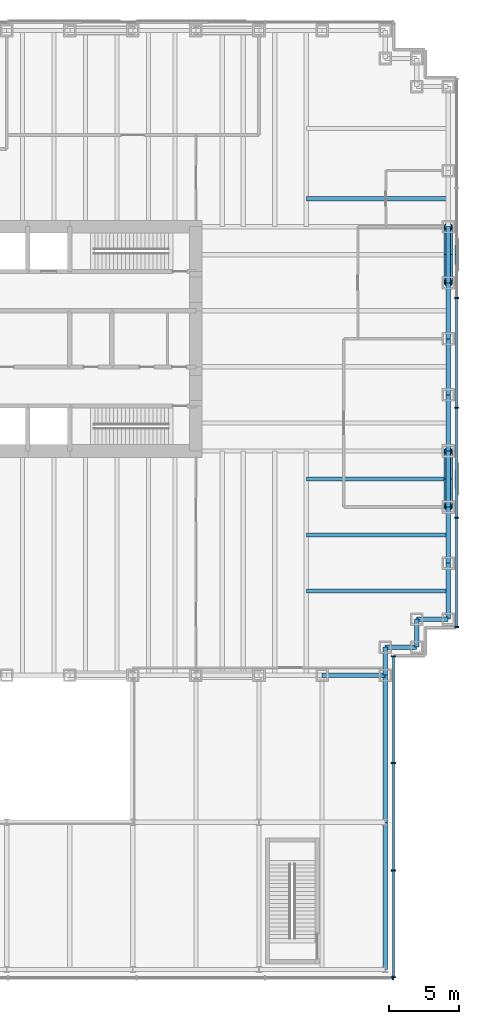
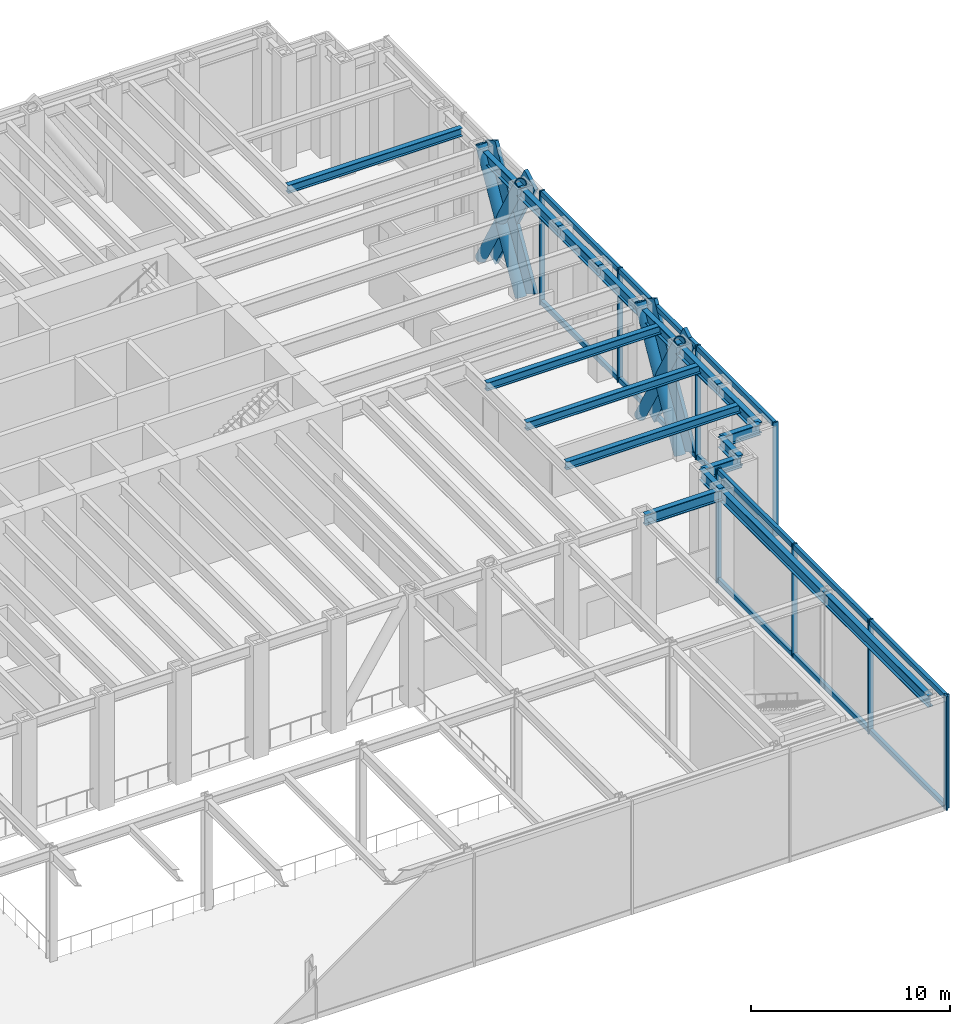
# One storey, part 7 of 17: 29 members, 18 beams, 3 elements without a shape of their own.
"""IFC4 building model written with IfcOpenShell, lengths in metres."""

import ifcopenshell
import ifcopenshell.guid

model = None  # the IFC model being written
_history = None  # IfcOwnerHistory: only IFC2X3 demands one
_inside = {}  # id of a spatial element -> (the spatial element, [elements in it])
_under = {}  # id of a project, library or spatial element -> (it, [spatial elements below it])
_declared = {}  # id of a project -> (the project, [libraries it declares])
_typed = {}  # id of a type object -> (the type object, [elements of that type])
_made_of = {}  # id of a material, layer set ... -> (it, [elements and type objects made of it])


def new_model(schema):
    """Start an empty IFC model of exactly this schema.

    Asked for "IFC4X3", IfcOpenShell would pick the latest addendum, in which some entities
    have other attributes; the version numbers below select the first issue.
    IFC2X3 requires an IfcOwnerHistory on every rooted entity: one is made here for all.
    """
    global model, _history
    if schema == "IFC4X3":
        model = ifcopenshell.file(schema_version=(4, 3, 0, 0))
    else:
        model = ifcopenshell.file(schema=schema)
    _inside.clear()
    _under.clear()
    _declared.clear()
    _typed.clear()
    _made_of.clear()
    _history = None
    if model.schema == "IFC2X3":
        org = make("IfcOrganization", Name="unknown")
        user = make(
            "IfcPersonAndOrganization",
            ThePerson=make("IfcPerson", FamilyName="unknown"),
            TheOrganization=org,
        )
        app = make(
            "IfcApplication",
            ApplicationDeveloper=org,
            Version="unknown",
            ApplicationFullName="unknown",
            ApplicationIdentifier="unknown",
        )
        _history = make(
            "IfcOwnerHistory",
            OwningUser=user,
            OwningApplication=app,
            ChangeAction="ADDED",
            CreationDate=0,
        )
    return model


def make(cls, **values):
    """One entity of the class cls with the attributes given. An attribute that is None is left unset."""
    return model.create_entity(
        cls, **{name: value for name, value in values.items() if value is not None}
    )


def rooted(cls, **values):
    """An entity with a GlobalId (a new one), such as an element, a storey or a relation."""
    return make(cls, GlobalId=ifcopenshell.guid.new(), OwnerHistory=_history, **values)


def si_unit(unit_type, name, prefix=None):
    """IfcSIUnit, for example si_unit("LENGTHUNIT", "METRE", prefix="MILLI")."""
    return make("IfcSIUnit", UnitType=unit_type, Prefix=prefix, Name=name)


def assignment(units):
    """IfcUnitAssignment: the units of a project."""
    return None if units is None else make("IfcUnitAssignment", Units=units)


def point(xyz):
    """IfcCartesianPoint."""
    return None if xyz is None else make("IfcCartesianPoint", Coordinates=xyz)


def direction(xyz):
    """IfcDirection."""
    return None if xyz is None else make("IfcDirection", DirectionRatios=xyz)


def frame(location, z_axis=None, x_axis=None):
    """IfcAxis2Placement3D, a coordinate frame: its origin and axes. An axis left out is left unset."""
    return make(
        "IfcAxis2Placement3D",
        Location=point(location),
        Axis=direction(z_axis),
        RefDirection=direction(x_axis),
    )


def frame_2d(location, x_axis=None):
    """IfcAxis2Placement2D, a coordinate frame in the plane: its origin and x axis."""
    return make(
        "IfcAxis2Placement2D", Location=point(location), RefDirection=direction(x_axis)
    )


def origin():
    """The frame at (0, 0, 0) with its axes left unset."""
    return frame((0.0, 0.0, 0.0))


def origin_2d():
    """The frame at (0, 0) in the plane with its x axis left unset."""
    return frame_2d((0.0, 0.0))


def place(relative_to, where):
    """IfcLocalPlacement: puts the frame where relative to a parent placement (None: the world)."""
    return make(
        "IfcLocalPlacement", PlacementRelTo=relative_to, RelativePlacement=where
    )


def context(
    kind, dimensions, precision=None, world=None, true_north=None, identifier=None
):
    """IfcGeometricRepresentationContext, for example the 3D "Model" context."""
    return make(
        "IfcGeometricRepresentationContext",
        ContextIdentifier=identifier,
        ContextType=kind,
        CoordinateSpaceDimension=dimensions,
        Precision=precision,
        WorldCoordinateSystem=world,
        TrueNorth=true_north,
    )


def subcontext(parent, identifier, kind, view, scale=None):
    """IfcGeometricRepresentationSubContext, for example "Body" below "Model"."""
    return make(
        "IfcGeometricRepresentationSubContext",
        ContextIdentifier=identifier,
        ContextType=kind,
        ParentContext=parent,
        TargetScale=scale,
        TargetView=view,
    )


def project(units=None, contexts=None):
    """IfcProject with its units and contexts."""
    return rooted(
        "IfcProject",
        Name="project",
        RepresentationContexts=contexts,
        UnitsInContext=assignment(units),
    )


def spatial(cls, under=None, at=None, **own):
    """A site, building, storey or space (cls), placed at a placement, below another one or the project."""
    s = rooted(cls, ObjectPlacement=at, **own)
    if under is not None:
        _under.setdefault(under.id(), (under, []))[1].append(s)
    return s


def profile(cls, at=None, kind="AREA", **sizes):
    """A parametric profile (cls). Its sizes go by their IFC names, for example OverallWidth=200.0."""
    return make(cls, ProfileType=kind, Position=at, **sizes)


def rectangle(**sizes):
    """IfcRectangleProfileDef."""
    return profile("IfcRectangleProfileDef", **sizes)


def hollow_circle(**sizes):
    """IfcCircleHollowProfileDef."""
    return profile("IfcCircleHollowProfileDef", **sizes)


def i_section(**sizes):
    """IfcIShapeProfileDef."""
    return profile("IfcIShapeProfileDef", **sizes)


def extrude(swept, where, along, depth):
    """IfcExtrudedAreaSolid: the profile swept, set in the frame where, extruded along a direction by depth."""
    return make(
        "IfcExtrudedAreaSolid",
        SweptArea=swept,
        Position=where,
        ExtrudedDirection=direction(along),
        Depth=depth,
    )


def shape(context_of_items, identifier, shape_type, items):
    """IfcShapeRepresentation: the items that make up one representation, for example the "Body"."""
    return make(
        "IfcShapeRepresentation",
        ContextOfItems=context_of_items,
        RepresentationIdentifier=identifier,
        RepresentationType=shape_type,
        Items=items,
    )


def material(Name=None, Category=None):
    """IfcMaterial."""
    return make("IfcMaterial", Name=Name, Category=Category)


def material_profile(
    of_material, cross_section, Name=None, Category=None, Priority=None
):
    """IfcMaterialProfile: a cross section and its material."""
    return make(
        "IfcMaterialProfile",
        Name=Name,
        Material=of_material,
        Profile=cross_section,
        Priority=Priority,
        Category=Category,
    )


def profile_set(profiles, Name=None, composite=None):
    """IfcMaterialProfileSet."""
    return make(
        "IfcMaterialProfileSet",
        Name=Name,
        MaterialProfiles=profiles,
        CompositeProfile=composite,
    )


def made_of(thing, what):
    """Note that an element or type object is made of a material, layer set ...; save() writes the relation."""
    if what is not None:
        _made_of.setdefault(what.id(), (what, []))[1].append(thing)
    return thing


def type_object(cls, material=None, **own):
    """A type object (cls), such as IfcWallType, which elements share."""
    return made_of(rooted(cls, **own), material)


def element(
    cls,
    number,
    at=None,
    inside=None,
    cuts=None,
    type_object=None,
    material=None,
    context=None,
    identifier="Body",
    shape_type=None,
    held_by="IfcProductDefinitionShape",
    body=None,
    shapes=None,
    **own,
):
    """One element of the class cls, such as IfcWall. Its Tag is "e" and its number.

    at: its placement. inside: the storey or other place that contains it. cuts: it is an
    opening in that element (IfcRelVoidsElement). A single representation is given by context,
    identifier, shape_type and body (its items); several are given by shapes. held_by: the class
    of the entity that holds the representations. save() writes the other relations.
    """
    e = rooted(cls, Tag="e%d" % number, ObjectPlacement=at, **own)
    if body is not None:
        shapes = [shape(context, identifier, shape_type, body)]
    if shapes is not None:
        e.Representation = make(held_by, Representations=shapes)
    if inside is not None:
        _inside.setdefault(inside.id(), (inside, []))[1].append(e)
    if cuts is not None:
        rooted(
            "IfcRelVoidsElement", RelatingBuildingElement=cuts, RelatedOpeningElement=e
        )
    if type_object is not None:
        _typed.setdefault(type_object.id(), (type_object, []))[1].append(e)
    return made_of(e, material)


def aggregate(whole, parts):
    """IfcRelAggregates: a whole, such as a stair, and the parts it consists of."""
    return rooted("IfcRelAggregates", RelatingObject=whole, RelatedObjects=parts)


def save(model, path):
    """Write the relations noted so far, then the file.

    IfcRelAggregates (storeys below a building ...), IfcRelContainedInSpatialStructure (elements
    in a storey), IfcRelDefinesByType, IfcRelAssociatesMaterial and IfcRelDeclares: one each for
    every whole, place, type object, material and project.
    """
    for whole, parts in _under.values():
        aggregate(whole, parts)
    for where, things in _inside.values():
        rooted(
            "IfcRelContainedInSpatialStructure",
            RelatedElements=things,
            RelatingStructure=where,
        )
    for kind, things in _typed.values():
        rooted("IfcRelDefinesByType", RelatedObjects=things, RelatingType=kind)
    for what, things in _made_of.values():
        rooted("IfcRelAssociatesMaterial", RelatedObjects=things, RelatingMaterial=what)
    for by, libraries in _declared.values():
        rooted("IfcRelDeclares", RelatingContext=by, RelatedDefinitions=libraries)
    model.write(path)


model = new_model("IFC4")

# Units and contexts
model_context = context("Model", 3, precision=1e-05, world=origin(), true_north=direction((0.0, 1.0)))
body_context = subcontext(model_context, "Body", "Model", "MODEL_VIEW")
ifc_project = project(units=[si_unit("LENGTHUNIT", "METRE"), si_unit("AREAUNIT", "SQUARE_METRE"), si_unit("VOLUMEUNIT", "CUBIC_METRE"), si_unit("PLANEANGLEUNIT", "RADIAN"), si_unit("MASSUNIT", "GRAM", prefix="KILO")], contexts=[model_context])

# Site, building, storey
site_placement = place(None, origin())
site = spatial("IfcSite", under=ifc_project, at=site_placement, CompositionType="ELEMENT")
building_placement = place(site_placement, origin())
building = spatial("IfcBuilding", under=site, at=building_placement, Name="Rheinbord Bourse Tower", CompositionType="ELEMENT")
storey_placement = place(building_placement, frame((0.0, 0.0, 6.0)))
storey = spatial("IfcBuildingStorey", under=building, at=storey_placement, Name="L01", CompositionType="ELEMENT", Elevation=6.0)

# Curtain wall, members
ifc_material_1 = material(Name="Dark glass and black aluminium", Category="aluminium")
curtain_wall_type = type_object("IfcCurtainWallType", Name="CW4 DARK GLASS CURTAIN WALL", PredefinedType="USERDEFINED", material=ifc_material_1)
curtain_wall_1_placement = place(storey_placement, origin())
curtain_wall_1 = element("IfcCurtainWall", 1, at=curtain_wall_1_placement, inside=storey, type_object=curtain_wall_type, Name="Curtain wall CW4 E L01", ObjectType="UNITISED CURTAIN WALL", PredefinedType="USERDEFINED")
ifc_material_2 = material(Name="Black anodised aluminium", Category="aluminium")
ifc_material_profile_1 = material_profile(ifc_material_2, rectangle(XDim=0.199951171875, YDim=1.2099609375, at=origin_2d()), Name="CW4 DIAGONAL MULLION 1210x200")
ifc_profile_set_1 = profile_set([ifc_material_profile_1], Name="Black anodised aluminium")
member_type_1 = type_object("IfcMemberType", Name="CW4 BLACK DIAGONAL MULLION", PredefinedType="USERDEFINED", material=ifc_profile_set_1)
member_1_placement = place(storey_placement, frame((72.60009765625, 12.0, 0.0), z_axis=(0.0, 0.496138938357, 0.868243142124), x_axis=(-1.0, 0.0, 0.0)))
member_1 = element("IfcMember", 2, at=member_1_placement, type_object=member_type_1, Name="CW4 diagonal mullion a", ObjectType="DIAGONAL MULLION", PredefinedType="USERDEFINED", context=body_context, shape_type="SweptSolid", body=[
    extrude(rectangle(XDim=0.199951171875, YDim=1.2099609375, at=origin_2d()), origin(), (0.0, 0.0, 1.0), 8.062255859375),
])
member_2_placement = place(storey_placement, frame((72.60009765625, 32.0, 0.0), z_axis=(0.0, -0.496138938357, 0.868243142124), x_axis=(1.0, 0.0, 0.0)))
member_2 = element("IfcMember", 3, at=member_2_placement, type_object=member_type_1, Name="CW4 diagonal mullion b", ObjectType="DIAGONAL MULLION", PredefinedType="USERDEFINED", context=body_context, shape_type="SweptSolid", body=[
    extrude(rectangle(XDim=0.199951171875, YDim=1.2099609375, at=origin_2d()), origin(), (0.0, 0.0, 1.0), 8.062255859375),
])
member_3_placement = place(storey_placement, frame((72.60009765625, 28.0, 0.0), z_axis=(0.0, 0.496138938357, 0.868243142124), x_axis=(-1.0, 0.0, 0.0)))
member_3 = element("IfcMember", 4, at=member_3_placement, type_object=member_type_1, Name="CW4 diagonal mullion c", ObjectType="DIAGONAL MULLION", PredefinedType="USERDEFINED", context=body_context, shape_type="SweptSolid", body=[
    extrude(rectangle(XDim=0.199951171875, YDim=1.2099609375, at=origin_2d()), origin(), (0.0, 0.0, 1.0), 8.062255859375),
])
member_4_placement = place(storey_placement, frame((72.60009765625, 16.0, 0.0), z_axis=(0.0, -0.496138938357, 0.868243142124), x_axis=(1.0, 0.0, 0.0)))
member_4 = element("IfcMember", 5, at=member_4_placement, type_object=member_type_1, Name="CW4 diagonal mullion d", ObjectType="DIAGONAL MULLION", PredefinedType="USERDEFINED", context=body_context, shape_type="SweptSolid", body=[
    extrude(rectangle(XDim=0.199951171875, YDim=1.2099609375, at=origin_2d()), origin(), (0.0, 0.0, 1.0), 8.062255859375),
])

# Curtain wall, member
curtain_wall_2_placement = place(storey_placement, origin())
curtain_wall_2 = element("IfcCurtainWall", 6, at=curtain_wall_2_placement, inside=storey, type_object=curtain_wall_type, Name="Curtain wall CW4 S L01", ObjectType="UNITISED CURTAIN WALL", PredefinedType="USERDEFINED")
ifc_material_3 = material(Name="Black anodised aluminium", Category="aluminium")
ifc_material_profile_2 = material_profile(ifc_material_3, rectangle(XDim=0.300048828125, YDim=0.090087890625, at=origin_2d()), Name="CW4 MULLION 90x300")
ifc_profile_set_2 = profile_set([ifc_material_profile_2], Name="Black anodised aluminium")
member_type_2 = type_object("IfcMemberType", Name="CW4 BLACK MULLION", PredefinedType="MULLION", material=ifc_profile_set_2)
member_5_placement = place(storey_placement, frame((68.054931640625, -21.60009765625, 0.0), z_axis=(0.0, 0.0, 1.0), x_axis=(0.0, 1.0, 0.0)))
member_5 = element("IfcMember", 7, at=member_5_placement, type_object=member_type_2, Name="CW4 mullion 8", PredefinedType="MULLION", context=body_context, shape_type="SweptSolid", body=[
    extrude(rectangle(XDim=0.300048828125, YDim=0.090087890625, at=origin_2d()), origin(), (0.0, 0.0, 1.0), 7.0),
])
aggregate(curtain_wall_2, [member_5])

# Curtain wall, members
curtain_wall_3_placement = place(storey_placement, origin())
curtain_wall_3 = element("IfcCurtainWall", 8, at=curtain_wall_3_placement, inside=storey, type_object=curtain_wall_type, Name="Curtain wall CW4 E L01", ObjectType="UNITISED CURTAIN WALL", PredefinedType="USERDEFINED")
member_6_placement = place(storey_placement, frame((68.10009765625, -21.554931640625, 0.0), z_axis=(0.0, 0.0, 1.0), x_axis=(-1.0, 0.0, 0.0)))
member_6 = element("IfcMember", 9, at=member_6_placement, type_object=member_type_2, Name="CW4 mullion 1", PredefinedType="MULLION", context=body_context, shape_type="SweptSolid", body=[
    extrude(rectangle(XDim=0.300048828125, YDim=0.090087890625, at=origin_2d()), origin(), (0.0, 0.0, 1.0), 7.0),
])
member_7_placement = place(storey_placement, frame((68.10009765625, -13.933349609375, 0.0), z_axis=(0.0, 0.0, 1.0), x_axis=(-1.0, 0.0, 0.0)))
member_7 = element("IfcMember", 10, at=member_7_placement, type_object=member_type_2, Name="CW4 mullion 2", PredefinedType="MULLION", context=body_context, shape_type="SweptSolid", body=[
    extrude(rectangle(XDim=0.300048828125, YDim=0.090087890625, at=origin_2d()), origin(), (0.0, 0.0, 1.0), 7.0),
])
member_8_placement = place(storey_placement, frame((68.10009765625, -6.2666015625, 0.0), z_axis=(0.0, 0.0, 1.0), x_axis=(-1.0, 0.0, 0.0)))
member_8 = element("IfcMember", 11, at=member_8_placement, type_object=member_type_2, Name="CW4 mullion 3", PredefinedType="MULLION", context=body_context, shape_type="SweptSolid", body=[
    extrude(rectangle(XDim=0.300048828125, YDim=0.090087890625, at=origin_2d()), origin(), (0.0, 0.0, 1.0), 7.0),
])
member_9_placement = place(storey_placement, frame((68.10009765625, 1.35498046875, 0.0), z_axis=(0.0, 0.0, 1.0), x_axis=(-1.0, 0.0, 0.0)))
member_9 = element("IfcMember", 12, at=member_9_placement, type_object=member_type_2, Name="CW4 mullion 4", PredefinedType="MULLION", context=body_context, shape_type="SweptSolid", body=[
    extrude(rectangle(XDim=0.300048828125, YDim=0.090087890625, at=origin_2d()), origin(), (0.0, 0.0, 1.0), 7.0),
])

# Member
member_10_placement = place(storey_placement, frame((72.60009765625, 3.445068359375, 0.0), z_axis=(0.0, 0.0, 1.0), x_axis=(-1.0, 0.0, 0.0)))
member_10 = element("IfcMember", 13, at=member_10_placement, type_object=member_type_2, Name="CW4 mullion 1", PredefinedType="MULLION", context=body_context, shape_type="SweptSolid", body=[
    extrude(rectangle(XDim=0.300048828125, YDim=0.090087890625, at=origin_2d()), origin(), (0.0, 0.0, 1.0), 7.0),
])

member_11_placement = place(storey_placement, frame((72.60009765625, 11.239990234375, 0.0), z_axis=(0.0, 0.0, 1.0), x_axis=(-1.0, 0.0, 0.0)))
member_11 = element("IfcMember", 14, at=member_11_placement, type_object=member_type_2, Name="CW4 mullion 2", PredefinedType="MULLION", context=body_context, shape_type="SweptSolid", body=[
    extrude(rectangle(XDim=0.300048828125, YDim=0.090087890625, at=origin_2d()), origin(), (0.0, 0.0, 1.0), 7.0),
])

member_12_placement = place(storey_placement, frame((72.60009765625, 19.080078125, 0.0), z_axis=(0.0, 0.0, 1.0), x_axis=(-1.0, 0.0, 0.0)))
member_12 = element("IfcMember", 15, at=member_12_placement, type_object=member_type_2, Name="CW4 mullion 3", PredefinedType="MULLION", context=body_context, shape_type="SweptSolid", body=[
    extrude(rectangle(XDim=0.300048828125, YDim=0.090087890625, at=origin_2d()), origin(), (0.0, 0.0, 1.0), 7.0),
])

member_13_placement = place(storey_placement, frame((72.60009765625, 26.919921875, 0.0), z_axis=(0.0, 0.0, 1.0), x_axis=(-1.0, 0.0, 0.0)))
member_13 = element("IfcMember", 16, at=member_13_placement, type_object=member_type_2, Name="CW4 mullion 4", PredefinedType="MULLION", context=body_context, shape_type="SweptSolid", body=[
    extrude(rectangle(XDim=0.300048828125, YDim=0.090087890625, at=origin_2d()), origin(), (0.0, 0.0, 1.0), 7.0),
])

ifc_material_4 = material(Name="Black anodised aluminium", Category="aluminium")
ifc_material_profile_3 = material_profile(ifc_material_4, rectangle(XDim=0.199951171875, YDim=0.300048828125, at=origin_2d()), Name="CW4 TRANSOM 300x200")
ifc_profile_set_3 = profile_set([ifc_material_profile_3], Name="Black anodised aluminium")
member_type_3 = type_object("IfcMemberType", Name="CW4 BLACK TRANSOM", PredefinedType="USERDEFINED", material=ifc_profile_set_3)
member_14_placement = place(storey_placement, frame((68.10009765625, -21.510009765625, 0.14990234375), z_axis=(0.0, 1.0, 0.0), x_axis=(-1.0, 0.0, 0.0)))
member_14 = element("IfcMember", 17, at=member_14_placement, type_object=member_type_3, Name="CW4 transom 1.1", ObjectType="TRANSOM", PredefinedType="USERDEFINED", context=body_context, shape_type="SweptSolid", body=[
    extrude(rectangle(XDim=0.199951171875, YDim=0.300048828125, at=origin_2d()), origin(), (0.0, 0.0, 1.0), 7.53173828125),
])

member_15_placement = place(storey_placement, frame((68.10009765625, -21.510009765625, 6.85009765625), z_axis=(0.0, 1.0, 0.0), x_axis=(-1.0, 0.0, 0.0)))
member_15 = element("IfcMember", 18, at=member_15_placement, type_object=member_type_3, Name="CW4 transom 1.2", ObjectType="TRANSOM", PredefinedType="USERDEFINED", context=body_context, shape_type="SweptSolid", body=[
    extrude(rectangle(XDim=0.199951171875, YDim=0.300048828125, at=origin_2d()), origin(), (0.0, 0.0, 1.0), 7.53173828125),
])

member_16_placement = place(storey_placement, frame((68.10009765625, -13.888427734375, 0.14990234375), z_axis=(0.0, 1.0, 0.0), x_axis=(-1.0, 0.0, 0.0)))
member_16 = element("IfcMember", 19, at=member_16_placement, type_object=member_type_3, Name="CW4 transom 2.1", ObjectType="TRANSOM", PredefinedType="USERDEFINED", context=body_context, shape_type="SweptSolid", body=[
    extrude(rectangle(XDim=0.199951171875, YDim=0.300048828125, at=origin_2d()), origin(), (0.0, 0.0, 1.0), 7.57666015625),
])

member_17_placement = place(storey_placement, frame((68.10009765625, -13.888427734375, 6.85009765625), z_axis=(0.0, 1.0, 0.0), x_axis=(-1.0, 0.0, 0.0)))
member_17 = element("IfcMember", 20, at=member_17_placement, type_object=member_type_3, Name="CW4 transom 2.2", ObjectType="TRANSOM", PredefinedType="USERDEFINED", context=body_context, shape_type="SweptSolid", body=[
    extrude(rectangle(XDim=0.199951171875, YDim=0.300048828125, at=origin_2d()), origin(), (0.0, 0.0, 1.0), 7.57666015625),
])

member_18_placement = place(storey_placement, frame((68.10009765625, -6.2216796875, 0.14990234375), z_axis=(0.0, 1.0, 0.0), x_axis=(-1.0, 0.0, 0.0)))
member_18 = element("IfcMember", 21, at=member_18_placement, type_object=member_type_3, Name="CW4 transom 3.1", ObjectType="TRANSOM", PredefinedType="USERDEFINED", context=body_context, shape_type="SweptSolid", body=[
    extrude(rectangle(XDim=0.199951171875, YDim=0.300048828125, at=origin_2d()), origin(), (0.0, 0.0, 1.0), 7.53173828125),
])

member_19_placement = place(storey_placement, frame((68.10009765625, -6.2216796875, 6.85009765625), z_axis=(0.0, 1.0, 0.0), x_axis=(-1.0, 0.0, 0.0)))
member_19 = element("IfcMember", 22, at=member_19_placement, type_object=member_type_3, Name="CW4 transom 3.2", ObjectType="TRANSOM", PredefinedType="USERDEFINED", context=body_context, shape_type="SweptSolid", body=[
    extrude(rectangle(XDim=0.199951171875, YDim=0.300048828125, at=origin_2d()), origin(), (0.0, 0.0, 1.0), 7.53173828125),
])

aggregate(curtain_wall_3, [member_6, member_7, member_8, member_9, member_14, member_15, member_16, member_17, member_18, member_19])

member_20_placement = place(storey_placement, frame((72.60009765625, 3.489990234375, 0.14990234375), z_axis=(0.0, 1.0, 0.0), x_axis=(-1.0, 0.0, 0.0)))
member_20 = element("IfcMember", 23, at=member_20_placement, type_object=member_type_3, Name="CW4 transom 1.1", ObjectType="TRANSOM", PredefinedType="USERDEFINED", context=body_context, shape_type="SweptSolid", body=[
    extrude(rectangle(XDim=0.199951171875, YDim=0.300048828125, at=origin_2d()), origin(), (0.0, 0.0, 1.0), 7.705078125),
])

member_21_placement = place(storey_placement, frame((72.60009765625, 3.489990234375, 6.85009765625), z_axis=(0.0, 1.0, 0.0), x_axis=(-1.0, 0.0, 0.0)))
member_21 = element("IfcMember", 24, at=member_21_placement, type_object=member_type_3, Name="CW4 transom 1.2", ObjectType="TRANSOM", PredefinedType="USERDEFINED", context=body_context, shape_type="SweptSolid", body=[
    extrude(rectangle(XDim=0.199951171875, YDim=0.300048828125, at=origin_2d()), origin(), (0.0, 0.0, 1.0), 7.705078125),
])

member_22_placement = place(storey_placement, frame((72.60009765625, 11.284912109375, 0.14990234375), z_axis=(0.0, 1.0, 0.0), x_axis=(-1.0, 0.0, 0.0)))
member_22 = element("IfcMember", 25, at=member_22_placement, type_object=member_type_3, Name="CW4 transom 2.1", ObjectType="TRANSOM", PredefinedType="USERDEFINED", context=body_context, shape_type="SweptSolid", body=[
    extrude(rectangle(XDim=0.199951171875, YDim=0.300048828125, at=origin_2d()), origin(), (0.0, 0.0, 1.0), 7.75),
])

member_23_placement = place(storey_placement, frame((72.60009765625, 11.284912109375, 6.85009765625), z_axis=(0.0, 1.0, 0.0), x_axis=(-1.0, 0.0, 0.0)))
member_23 = element("IfcMember", 26, at=member_23_placement, type_object=member_type_3, Name="CW4 transom 2.2", ObjectType="TRANSOM", PredefinedType="USERDEFINED", context=body_context, shape_type="SweptSolid", body=[
    extrude(rectangle(XDim=0.199951171875, YDim=0.300048828125, at=origin_2d()), origin(), (0.0, 0.0, 1.0), 7.75),
])

member_24_placement = place(storey_placement, frame((72.60009765625, 19.125, 0.14990234375), z_axis=(0.0, 1.0, 0.0), x_axis=(-1.0, 0.0, 0.0)))
member_24 = element("IfcMember", 27, at=member_24_placement, type_object=member_type_3, Name="CW4 transom 3.1", ObjectType="TRANSOM", PredefinedType="USERDEFINED", context=body_context, shape_type="SweptSolid", body=[
    extrude(rectangle(XDim=0.199951171875, YDim=0.300048828125, at=origin_2d()), origin(), (0.0, 0.0, 1.0), 7.75),
])

member_25_placement = place(storey_placement, frame((72.60009765625, 19.125, 6.85009765625), z_axis=(0.0, 1.0, 0.0), x_axis=(-1.0, 0.0, 0.0)))
member_25 = element("IfcMember", 28, at=member_25_placement, type_object=member_type_3, Name="CW4 transom 3.2", ObjectType="TRANSOM", PredefinedType="USERDEFINED", context=body_context, shape_type="SweptSolid", body=[
    extrude(rectangle(XDim=0.199951171875, YDim=0.300048828125, at=origin_2d()), origin(), (0.0, 0.0, 1.0), 7.75),
])

aggregate(curtain_wall_1, [member_10, member_11, member_12, member_13, member_20, member_21, member_22, member_23, member_24, member_25, member_1, member_2, member_3, member_4])

# Members
ifc_material_5 = material(Name="Steel S460", Category="steel")
ifc_material_profile_4 = material_profile(ifc_material_5, hollow_circle(Radius=0.304931640625, WallThickness=0.050048828125, at=origin_2d()), Name="CHS 610x50")
ifc_profile_set_4 = profile_set([ifc_material_profile_4], Name="Steel S460")
member_type_4 = type_object("IfcMemberType", Name="MEGABRACE CHS 610x50", PredefinedType="BRACE", material=ifc_profile_set_4)
for number, where, z_axis, x_axis, name in (
    (29, (72.0, 12.0, 0.0), (0.0, 0.496138938357, 0.868243142124), (-1.0, 0.0, 0.0), "Megabrace E face line a L01"),
    (30, (72.0, 32.0, 0.0), (0.0, -0.496138938357, 0.868243142124), (1.0, 0.0, 0.0), "Megabrace E face line b L01"),
    (31, (72.0, 28.0, 0.0), (0.0, 0.496138938357, 0.868243142124), (-1.0, 0.0, 0.0), "Megabrace E face line c L01"),
    (32, (72.0, 16.0, 0.0), (0.0, -0.496138938357, 0.868243142124), (1.0, 0.0, 0.0), "Megabrace E face line d L01"),
):
    element("IfcMember", number, at=place(storey_placement, frame(where, z_axis=z_axis, x_axis=x_axis)), inside=storey, type_object=member_type_4, Name=name, PredefinedType="BRACE", context=body_context, shape_type="SweptSolid", body=[
        extrude(hollow_circle(Radius=0.304931640625, WallThickness=0.050048828125, at=origin_2d()), origin(), (0.0, 0.0, 1.0), 8.062255859375),
    ])

# Beams
ifc_material_6 = material(Name="Steel S460", Category="steel")
ifc_material_profile_5 = material_profile(ifc_material_6, i_section(OverallWidth=0.303955078125, OverallDepth=0.716064453125, WebThickness=0.02099609375, FlangeThickness=0.0400390625, at=origin_2d()), Name="HEM 700")
ifc_profile_set_5 = profile_set([ifc_material_profile_5], Name="Steel S460")
beam_type_1 = type_object("IfcBeamType", Name="PODIUM GIRDER HEM 700", PredefinedType="BEAM", material=ifc_profile_set_5)
for number, where, z_axis, x_axis, name in (
    (33, (67.5, -21.0, 6.4619140625), (0.0, 1.0, 0.0), (-1.0, 0.0, 0.0), "Podium girder 67.5 L02"),
    (34, (67.5, -10.5, 6.4619140625), (0.0, 1.0, 0.0), (-1.0, 0.0, 0.0), "Podium girder 67.5 L02"),
):
    element("IfcBeam", number, at=place(storey_placement, frame(where, z_axis=z_axis, x_axis=x_axis)), inside=storey, type_object=beam_type_1, Name=name, PredefinedType="BEAM", context=body_context, shape_type="SweptSolid", body=[
        extrude(i_section(OverallWidth=0.303955078125, OverallDepth=0.716064453125, WebThickness=0.02099609375, FlangeThickness=0.0400390625, at=origin_2d()), origin(), (0.0, 0.0, 1.0), 10.5),
    ])
ifc_material_7 = material(Name="Steel S460", Category="steel")
ifc_material_profile_6 = material_profile(ifc_material_7, i_section(OverallWidth=0.304931640625, OverallDepth=0.66796875, WebThickness=0.02099609375, FlangeThickness=0.0400390625, at=origin_2d()), Name="HEM 650")
ifc_profile_set_6 = profile_set([ifc_material_profile_6], Name="Steel S460")
beam_type_2 = type_object("IfcBeamType", Name="SPANDREL HEM 650", PredefinedType="SPANDREL", material=ifc_profile_set_6)
beam_1_placement = place(storey_placement, frame((63.0, 0.0, 6.486083984375), z_axis=(1.0, 0.0, 0.0), x_axis=(0.0, 1.0, 0.0)))
element("IfcBeam", 35, at=beam_1_placement, inside=storey, type_object=beam_type_2, Name="Spandrel S-63-SE-E under L02", PredefinedType="SPANDREL", context=body_context, shape_type="SweptSolid", body=[
    extrude(i_section(OverallWidth=0.304931640625, OverallDepth=0.66796875, WebThickness=0.02099609375, FlangeThickness=0.0400390625, at=origin_2d()), origin(), (0.0, 0.0, 1.0), 4.5),
])
beam_2_placement = place(storey_placement, frame((67.5, 0.0, 6.486083984375), z_axis=(0.0, 1.0, 0.0), x_axis=(-1.0, 0.0, 0.0)))
element("IfcBeam", 36, at=beam_2_placement, inside=storey, type_object=beam_type_2, Name="Spandrel SE-E-SE-D under L02", PredefinedType="SPANDREL", context=body_context, shape_type="SweptSolid", body=[
    extrude(i_section(OverallWidth=0.304931640625, OverallDepth=0.66796875, WebThickness=0.02099609375, FlangeThickness=0.0400390625, at=origin_2d()), origin(), (0.0, 0.0, 1.0), 2.0),
])
beam_3_placement = place(storey_placement, frame((67.5, 2.0, 6.486083984375), z_axis=(1.0, 0.0, 0.0), x_axis=(0.0, 1.0, 0.0)))
element("IfcBeam", 37, at=beam_3_placement, inside=storey, type_object=beam_type_2, Name="Spandrel SE-D-SE-C under L02", PredefinedType="SPANDREL", context=body_context, shape_type="SweptSolid", body=[
    extrude(i_section(OverallWidth=0.304931640625, OverallDepth=0.66796875, WebThickness=0.02099609375, FlangeThickness=0.0400390625, at=origin_2d()), origin(), (0.0, 0.0, 1.0), 2.25),
])
beam_4_placement = place(storey_placement, frame((69.75, 2.0, 6.486083984375), z_axis=(0.0, 1.0, 0.0), x_axis=(-1.0, 0.0, 0.0)))
element("IfcBeam", 38, at=beam_4_placement, inside=storey, type_object=beam_type_2, Name="Spandrel SE-C-SE-B under L02", PredefinedType="SPANDREL", context=body_context, shape_type="SweptSolid", body=[
    extrude(i_section(OverallWidth=0.304931640625, OverallDepth=0.66796875, WebThickness=0.02099609375, FlangeThickness=0.0400390625, at=origin_2d()), origin(), (0.0, 0.0, 1.0), 2.0),
])
beam_5_placement = place(storey_placement, frame((69.75, 4.0, 6.486083984375), z_axis=(1.0, 0.0, 0.0), x_axis=(0.0, 1.0, 0.0)))
element("IfcBeam", 39, at=beam_5_placement, inside=storey, type_object=beam_type_2, Name="Spandrel SE-B-SE-A under L02", PredefinedType="SPANDREL", context=body_context, shape_type="SweptSolid", body=[
    extrude(i_section(OverallWidth=0.304931640625, OverallDepth=0.66796875, WebThickness=0.02099609375, FlangeThickness=0.0400390625, at=origin_2d()), origin(), (0.0, 0.0, 1.0), 2.25),
])
for number, where, z_axis, x_axis, name in (
    (40, (72.0, 4.0, 6.486083984375), (0.0, 1.0, 0.0), (-1.0, 0.0, 0.0), "Spandrel SE-A-E-8 under L02"),
    (41, (72.0, 8.0, 6.486083984375), (0.0, 1.0, 0.0), (-1.0, 0.0, 0.0), "Spandrel E-8-E-12 under L02"),
    (42, (72.0, 12.0, 6.486083984375), (0.0, 1.0, 0.0), (-1.0, 0.0, 0.0), "Spandrel E-12-E-16 under L02"),
    (43, (72.0, 16.0, 6.486083984375), (0.0, 1.0, 0.0), (-1.0, 0.0, 0.0), "Spandrel E-16-E-20 under L02"),
    (44, (72.0, 20.0, 6.486083984375), (0.0, 1.0, 0.0), (-1.0, 0.0, 0.0), "Spandrel E-20-E-24 under L02"),
    (45, (72.0, 24.0, 6.486083984375), (0.0, 1.0, 0.0), (-1.0, 0.0, 0.0), "Spandrel E-24-E-28 under L02"),
    (46, (72.0, 28.0, 6.486083984375), (0.0, 1.0, 0.0), (-1.0, 0.0, 0.0), "Spandrel E-28-E-32 under L02"),
):
    element("IfcBeam", number, at=place(storey_placement, frame(where, z_axis=z_axis, x_axis=x_axis)), inside=storey, type_object=beam_type_2, Name=name, PredefinedType="SPANDREL", context=body_context, shape_type="SweptSolid", body=[
        extrude(i_section(OverallWidth=0.304931640625, OverallDepth=0.66796875, WebThickness=0.02099609375, FlangeThickness=0.0400390625, at=origin_2d()), origin(), (0.0, 0.0, 1.0), 4.0),
    ])
ifc_material_8 = material(Name="Steel S460", Category="steel")
ifc_material_profile_7 = material_profile(ifc_material_8, i_section(OverallWidth=0.300048828125, OverallDepth=0.5, WebThickness=0.014404296875, FlangeThickness=0.028076171875, at=origin_2d()), Name="HEB 500")
ifc_profile_set_7 = profile_set([ifc_material_profile_7], Name="Steel S460")
beam_type_3 = type_object("IfcBeamType", Name="TIE BEAM HEB 500", PredefinedType="JOIST", material=ifc_profile_set_7)
for number, where, z_axis, x_axis, name in (
    (47, (61.875, 6.0, 6.570068359375), (1.0, 0.0, 0.0), (0.0, 1.0, 0.0), "Tie east 6 L02"),
    (48, (61.875, 10.0, 6.570068359375), (1.0, 0.0, 0.0), (0.0, 1.0, 0.0), "Tie east 10 L02"),
    (49, (61.875, 14.0, 6.570068359375), (1.0, 0.0, 0.0), (0.0, 1.0, 0.0), "Tie east 14 L02"),
    (50, (61.875, 34.0, 6.570068359375), (1.0, 0.0, 0.0), (0.0, 1.0, 0.0), "Tie east 34 L02"),
):
    element("IfcBeam", number, at=place(storey_placement, frame(where, z_axis=z_axis, x_axis=x_axis)), inside=storey, type_object=beam_type_3, Name=name, PredefinedType="JOIST", context=body_context, shape_type="SweptSolid", body=[
        extrude(i_section(OverallWidth=0.300048828125, OverallDepth=0.5, WebThickness=0.014404296875, FlangeThickness=0.028076171875, at=origin_2d()), origin(), (0.0, 0.0, 1.0), 10.125),
    ])

save(model, "model.ifc")
